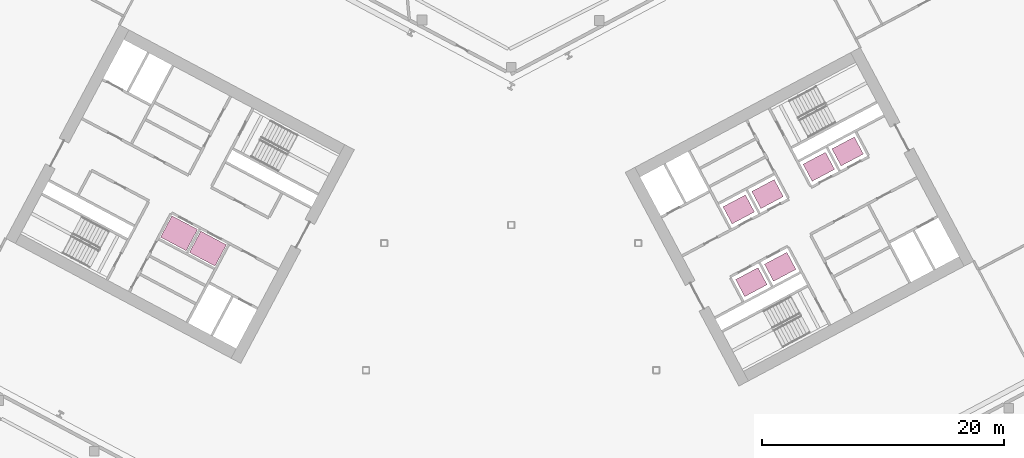
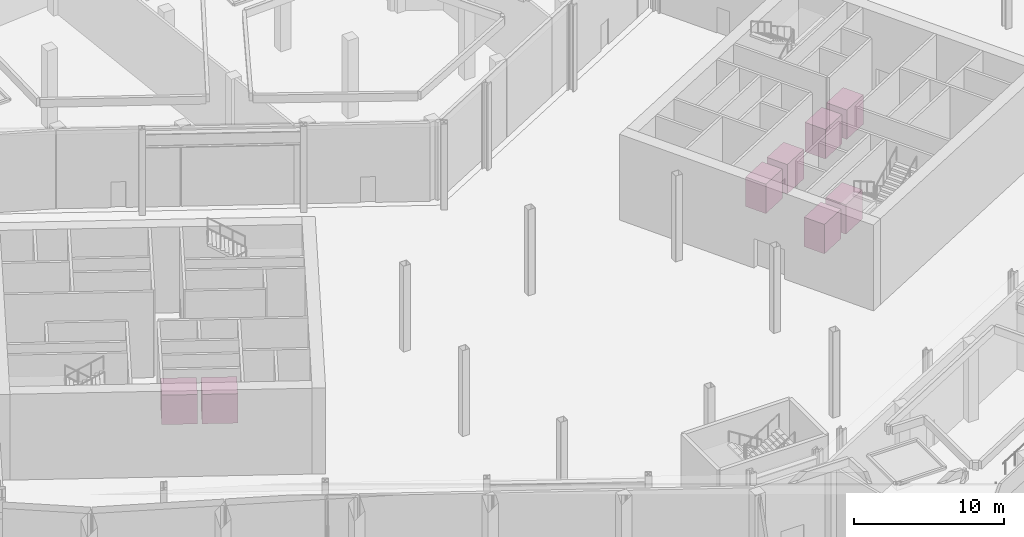
# One storey, part 57 of 57: 8 transport elements.
"""IFC4 building model written with IfcOpenShell, lengths in metres."""

from ifc_helpers import new_model, si_unit, direction, frame, origin, origin_2d, place, context, subcontext, project, spatial, rectangle, extrude, material, type_object, element, save


model = new_model("IFC4")

# Units and contexts
model_context = context("Model", 3, precision=1e-05, world=origin(), true_north=direction((0.0, 1.0)))
body_context = subcontext(model_context, "Body", "Model", "MODEL_VIEW")
ifc_project = project(units=[si_unit("LENGTHUNIT", "METRE"), si_unit("AREAUNIT", "SQUARE_METRE"), si_unit("VOLUMEUNIT", "CUBIC_METRE"), si_unit("PLANEANGLEUNIT", "RADIAN"), si_unit("MASSUNIT", "GRAM", prefix="KILO")], contexts=[model_context])

# Site, building, storey
site_placement = place(None, origin())
site = spatial("IfcSite", under=ifc_project, at=site_placement, CompositionType="ELEMENT")
building_placement = place(site_placement, origin())
building = spatial("IfcBuilding", under=site, at=building_placement, Name="Cormorant Relay Tower", CompositionType="ELEMENT")
storey_placement = place(building_placement, origin())
storey = spatial("IfcBuildingStorey", under=building, at=storey_placement, Name="L00", CompositionType="ELEMENT", Elevation=0.0)

# Transport elements
ifc_material_1 = material(Name="Stainless steel 316", Category="steel")
transport_element_type_1 = type_object("IfcTransportElementType", Name="Passenger lift car 2100x1600 1800 kg", PredefinedType="ELEVATOR", material=ifc_material_1)
for number, where, z_axis, x_axis, name in (
    (1, (18.81396484375, 13.2880859375, 0.0), (0.0, 0.0, 1.0), (0.882947592859, 0.469471562786, 0.0), "LR1"),
    (2, (21.19775390625, 14.555419921875, 0.0), (0.0, 0.0, 1.0), (0.882947592859, 0.469471562786, 0.0), "LR2"),
    (3, (25.43603515625, 16.80908203125, 0.0), (0.0, 0.0, 1.0), (0.882947592859, 0.469471562786, 0.0), "LR3"),
    (4, (27.820068359375, 18.07666015625, 0.0), (0.0, 0.0, 1.0), (0.882947592859, 0.469471562786, 0.0), "LR4"),
    (5, (19.859130859375, 7.27490234375, 0.0), (0.0, 0.0, 1.0), (0.882947592859, 0.469471562786, 0.0), "LR5"),
    (6, (22.2431640625, 8.54248046875, 0.0), (0.0, 0.0, 1.0), (0.882947592859, 0.469471562786, 0.0), "LR6"),
):
    element("IfcTransportElement", number, at=place(storey_placement, frame(where, z_axis=z_axis, x_axis=x_axis)), inside=storey, type_object=transport_element_type_1, Name=name, PredefinedType="ELEVATOR", context=body_context, shape_type="SweptSolid", body=[
        extrude(rectangle(XDim=2.10009765625, YDim=1.60009765625, at=origin_2d()), origin(), (0.0, 0.0, 1.0), 2.39990234375),
    ])
ifc_material_2 = material(Name="Stainless steel 316", Category="steel")
transport_element_type_2 = type_object("IfcTransportElementType", Name="Shuttle lift car 2400x2000 2500 kg", PredefinedType="ELEVATOR", material=ifc_material_2)
for number, where, z_axis, x_axis, name in (
    (7, (-25.068603515625, 10.044921875, 0.0), (0.0, 0.0, 1.0), (-0.882947592859, 0.469471562786, 0.0), "SH1"),
    (8, (-27.45263671875, 11.312255859375, 0.0), (0.0, 0.0, 1.0), (-0.882947592859, 0.469471562786, 0.0), "SH2"),
):
    element("IfcTransportElement", number, at=place(storey_placement, frame(where, z_axis=z_axis, x_axis=x_axis)), inside=storey, type_object=transport_element_type_2, Name=name, PredefinedType="ELEVATOR", context=body_context, shape_type="SweptSolid", body=[
        extrude(rectangle(XDim=2.39990234375, YDim=2.0, at=origin_2d()), origin(), (0.0, 0.0, 1.0), 2.39990234375),
    ])

save(model, "model.ifc")
